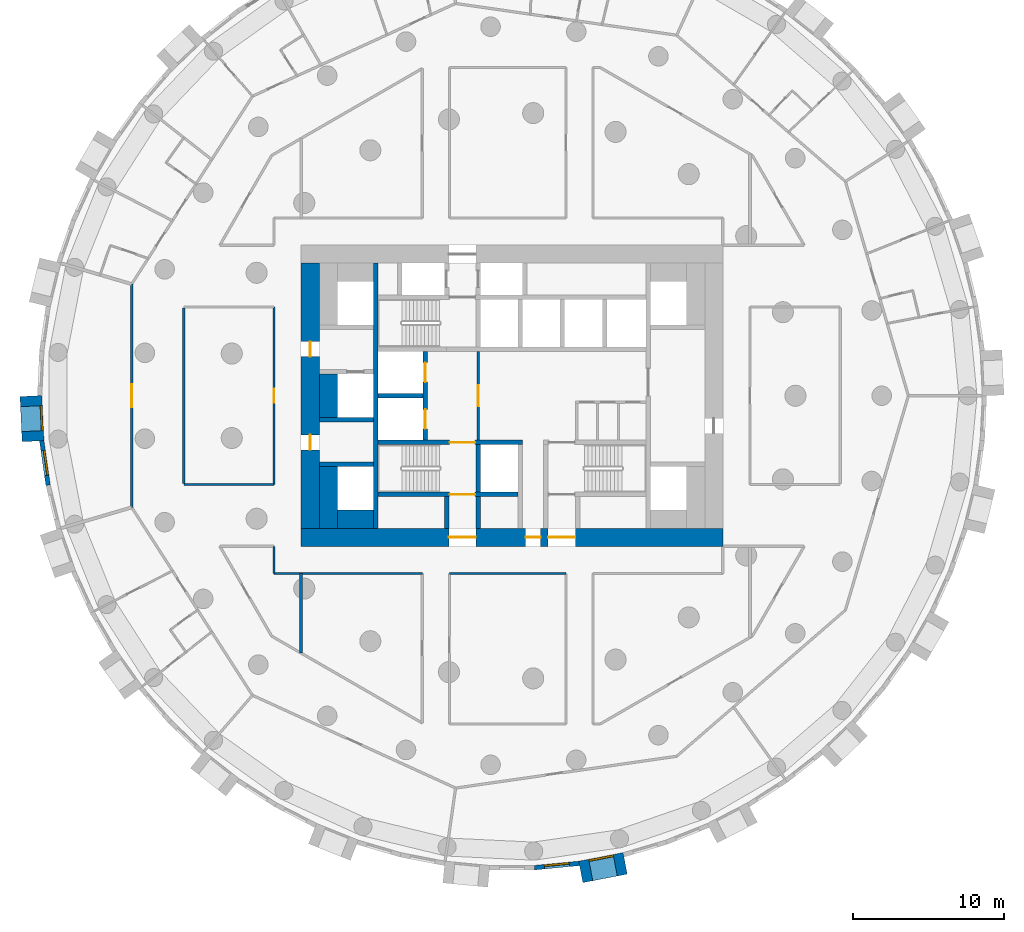
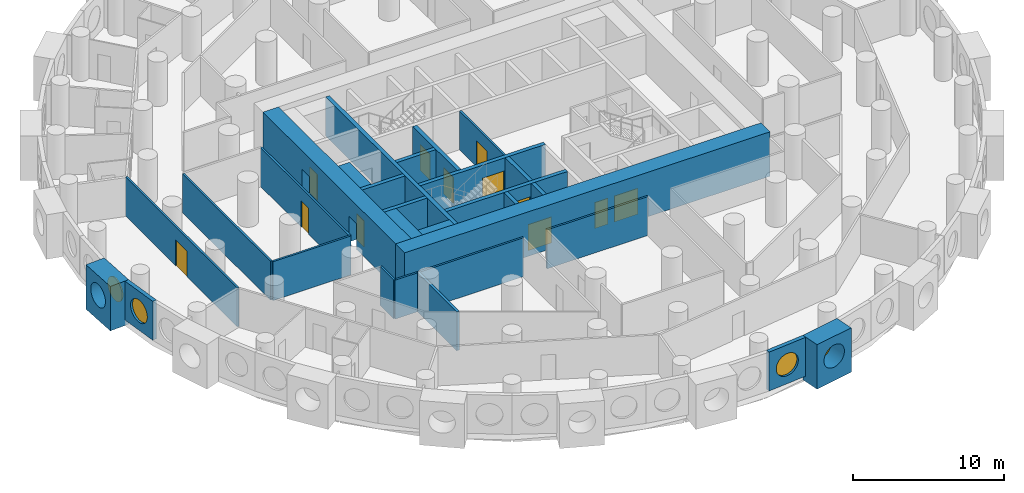
# One storey, part 4 of 12: 28 walls, 12 doors, 4 windows, 16 openings.
"""IFC4 building model written with IfcOpenShell, lengths in metres."""

from ifc_helpers import new_model, si_unit, direction, frame, frame_2d, origin, origin_2d, place, context, subcontext, project, spatial, rectangle, circle, extrude, material, layer, layer_set, type_object, element, fill, save


model = new_model("IFC4")

# Units and contexts
model_context = context("Model", 3, precision=1e-05, world=origin(), true_north=direction((0.0, 1.0)))
body_context = subcontext(model_context, "Body", "Model", "MODEL_VIEW")
ifc_project = project(units=[si_unit("LENGTHUNIT", "METRE"), si_unit("AREAUNIT", "SQUARE_METRE"), si_unit("VOLUMEUNIT", "CUBIC_METRE"), si_unit("PLANEANGLEUNIT", "RADIAN"), si_unit("MASSUNIT", "GRAM", prefix="KILO")], contexts=[model_context])

# Site, building, storey
site_placement = place(None, origin())
site = spatial("IfcSite", under=ifc_project, at=site_placement, CompositionType="ELEMENT")
building_placement = place(site_placement, origin())
building = spatial("IfcBuilding", under=site, at=building_placement, Name="Tracery Tower", CompositionType="ELEMENT")
storey_placement = place(building_placement, frame((0.0, 0.0, 89.39990234375)))
storey = spatial("IfcBuildingStorey", under=building, at=storey_placement, Name="L22", CompositionType="ELEMENT", Elevation=89.39990234375)

# Wall, opening, door
ifc_material_1 = material(Name="Plasterboard on steel studs", Category="steel")
ifc_layer_1 = layer(ifc_material_1, 0.14990234375)
ifc_layer_set_1 = layer_set([ifc_layer_1], Name="Core lobby partition 150")
wall_type_1 = type_object("IfcWallType", Name="Core lobby partition 150", PredefinedType="SOLIDWALL", material=ifc_layer_set_1)
wall_1_placement = place(storey_placement, frame((-2.25, -2.949951171875, 0.0), z_axis=(0.0, 0.0, 1.0), x_axis=(0.0, 1.0, 0.0)))
wall_1 = element("IfcWall", 1, at=wall_1_placement, inside=storey, type_object=wall_type_1, Name="L22 FF lobby E", PredefinedType="SOLIDWALL", context=body_context, shape_type="SweptSolid", body=[
    extrude(rectangle(XDim=5.89990234375, YDim=0.14990234375, at=frame_2d((2.949951171875, 0.0))), origin(), (0.0, 0.0, 1.0), 3.150146484375),
])
opening_1_placement = place(wall_1_placement, frame((2.25, 0.0, 0.0)))
opening_1 = element("IfcOpeningElement", 2, at=opening_1_placement, cuts=wall_1, Name="Opening KD8", PredefinedType="OPENING", context=body_context, shape_type="SweptSolid", body=[
    extrude(rectangle(XDim=1.39990234375, YDim=2.10009765625, at=frame_2d((0.699951171875, 1.050048828125))), frame((0.0, 0.074951171875, 0.0), z_axis=(0.0, -1.0, 0.0), x_axis=(1.0, 0.0, 0.0)), (0.0, 0.0, 1.0), 0.14990234375),
])
ifc_material_2 = material(Name="Steel fire door", Category="steel")
door_type_1 = type_object("IfcDoorType", Name="Core lobby door 1400 double", OperationType="NOTDEFINED", PredefinedType="DOOR", material=ifc_material_2)
door_1_placement = place(opening_1_placement, origin())
door_1 = element("IfcDoor", 3, at=door_1_placement, inside=storey, type_object=door_type_1, Name="Fire-fighting lobby door", OperationType="DOUBLE_DOOR_SINGLE_SWING", OverallHeight=2.10009765625, OverallWidth=1.39990234375, PredefinedType="DOOR", context=body_context, shape_type="SweptSolid", body=[
    extrude(rectangle(XDim=1.39990234375, YDim=2.10009765625, at=frame_2d((0.699951171875, 1.050048828125))), frame((0.0, 0.02490234375, 0.0), z_axis=(0.0, -1.0, 0.0), x_axis=(1.0, 0.0, 0.0)), (0.0, 0.0, 1.0), 0.050048828125),
])
fill(opening_1, door_1)

# Walls
ifc_material_3 = material(Name="Concrete C60/75", Category="concrete")
ifc_layer_2 = layer(ifc_material_3, 1.199951171875)
ifc_layer_set_2 = layer_set([ifc_layer_2], Name="Core strip wall 1200 C60")
wall_type_2 = type_object("IfcWallType", Name="Core strip wall 1200 C60", PredefinedType="SOLIDWALL", material=ifc_layer_set_2)
wall_2_placement = place(storey_placement, frame((-12.199951171875, -8.800048828125, 0.0), z_axis=(0.0, 0.0, 1.0), x_axis=(0.0, 1.0, 0.0)))
element("IfcWall", 4, at=wall_2_placement, inside=storey, type_object=wall_type_2, Name="L22 wing strip -1 -9.4", PredefinedType="SOLIDWALL", context=body_context, shape_type="SweptSolid", body=[
    extrude(rectangle(XDim=4.10009765625, YDim=1.199951171875, at=frame_2d((2.050048828125, 0.0))), origin(), (0.0, 0.0, 1.0), 3.150146484375),
])
wall_3_placement = place(storey_placement, frame((-12.199951171875, -1.449951171875, 0.0), z_axis=(0.0, 0.0, 1.0), x_axis=(0.0, 1.0, 0.0)))
element("IfcWall", 5, at=wall_3_placement, inside=storey, type_object=wall_type_2, Name="L22 wing strip -1 -1.6", PredefinedType="SOLIDWALL", context=body_context, shape_type="SweptSolid", body=[
    extrude(rectangle(XDim=2.89990234375, YDim=1.199951171875, at=frame_2d((1.449951171875, 0.0))), origin(), (0.0, 0.0, 1.0), 3.150146484375),
])
wall_4_placement = place(storey_placement, frame((-11.60009765625, -8.199951171875, 0.0), z_axis=(0.0, 0.0, 1.0), x_axis=(1.0, 0.0, 0.0)))
element("IfcWall", 6, at=wall_4_placement, inside=storey, type_object=wall_type_2, Name="L22 wing corner -1 -8.2", PredefinedType="SOLIDWALL", context=body_context, shape_type="SweptSolid", body=[
    extrude(rectangle(XDim=2.400146484375, YDim=1.199951171875, at=frame_2d((1.2001953125, 0.0))), origin(), (0.0, 0.0, 1.0), 3.150146484375),
])

# Wall, openings, doors
ifc_material_4 = material(Name="Concrete C60/75", Category="concrete")
ifc_layer_3 = layer(ifc_material_4, 1.199951171875)
ifc_layer_set_3 = layer_set([ifc_layer_3], Name="Core wall 1200 C60")
wall_type_3 = type_object("IfcWallType", Name="Core wall 1200 C60", PredefinedType="SOLIDWALL", material=ifc_layer_set_3)
wall_5_placement = place(storey_placement, frame((-14.0, -9.39990234375, 0.0), z_axis=(0.0, 0.0, 1.0), x_axis=(1.0, 0.0, 0.0)))
wall_5 = element("IfcWall", 7, at=wall_5_placement, inside=storey, type_object=wall_type_3, Name="L22 outer S", PredefinedType="SOLIDWALL", context=body_context, shape_type="SweptSolid", body=[
    extrude(rectangle(XDim=28.0, YDim=1.199951171875, at=frame_2d((14.0, 0.0))), origin(), (0.0, 0.0, 1.0), 3.60009765625),
])
opening_2_placement = place(wall_5_placement, frame((14.89990234375, 0.0, 0.0)))
opening_2 = element("IfcOpeningElement", 8, at=opening_2_placement, cuts=wall_5, Name="Opening KD16", PredefinedType="OPENING", context=body_context, shape_type="SweptSolid", body=[
    extrude(rectangle(XDim=1.0, YDim=2.10009765625, at=frame_2d((0.5, 1.050048828125))), frame((0.0, 0.60009765625, 0.0), z_axis=(0.0, -1.0, 0.0), x_axis=(1.0, 0.0, 0.0)), (0.0, 0.0, 1.0), 1.199951171875),
])
opening_3_placement = place(wall_5_placement, frame((9.800048828125, 0.0, 0.0)))
opening_3 = element("IfcOpeningElement", 9, at=opening_3_placement, cuts=wall_5, Name="Opening KD13", PredefinedType="OPENING", context=body_context, shape_type="SweptSolid", body=[
    extrude(rectangle(XDim=1.800048828125, YDim=2.10009765625, at=frame_2d((0.89990234375, 1.050048828125))), frame((0.0, 0.60009765625, 0.0), z_axis=(0.0, -1.0, 0.0), x_axis=(1.0, 0.0, 0.0)), (0.0, 0.0, 1.0), 1.199951171875),
])
opening_4_placement = place(wall_5_placement, frame((16.39990234375, 0.0, 0.0)))
opening_4 = element("IfcOpeningElement", 10, at=opening_4_placement, cuts=wall_5, Name="Opening KD13", PredefinedType="OPENING", context=body_context, shape_type="SweptSolid", body=[
    extrude(rectangle(XDim=1.800048828125, YDim=2.10009765625, at=frame_2d((0.89990234375, 1.050048828125))), frame((0.0, 0.60009765625, 0.0), z_axis=(0.0, -1.0, 0.0), x_axis=(1.0, 0.0, 0.0)), (0.0, 0.0, 1.0), 1.199951171875),
])
ifc_material_5 = material(Name="Steel fire door", Category="steel")
door_type_2 = type_object("IfcDoorType", Name="Core exit door 1000", OperationType="NOTDEFINED", PredefinedType="DOOR", material=ifc_material_5)
door_2_placement = place(opening_2_placement, origin())
door_2 = element("IfcDoor", 11, at=door_2_placement, inside=storey, type_object=door_type_2, Name="Core exit door", OperationType="SINGLE_SWING_LEFT", OverallHeight=2.10009765625, OverallWidth=1.0, PredefinedType="DOOR", context=body_context, shape_type="SweptSolid", body=[
    extrude(rectangle(XDim=1.0, YDim=2.10009765625, at=frame_2d((0.5, 1.050048828125))), frame((0.0, 0.02490234375, 0.0), z_axis=(0.0, -1.0, 0.0), x_axis=(1.0, 0.0, 0.0)), (0.0, 0.0, 1.0), 0.050048828125),
])
fill(opening_2, door_2)
ifc_material_6 = material(Name="Steel fire door", Category="steel")
door_type_3 = type_object("IfcDoorType", Name="Core exit door 1800 double", OperationType="NOTDEFINED", PredefinedType="DOOR", material=ifc_material_6)
door_3_placement = place(opening_3_placement, origin())
door_3 = element("IfcDoor", 12, at=door_3_placement, inside=storey, type_object=door_type_3, Name="Core exit door", OperationType="DOUBLE_DOOR_SINGLE_SWING", OverallHeight=2.10009765625, OverallWidth=1.800048828125, PredefinedType="DOOR", context=body_context, shape_type="SweptSolid", body=[
    extrude(rectangle(XDim=1.800048828125, YDim=2.10009765625, at=frame_2d((0.89990234375, 1.050048828125))), frame((0.0, 0.02490234375, 0.0), z_axis=(0.0, -1.0, 0.0), x_axis=(1.0, 0.0, 0.0)), (0.0, 0.0, 1.0), 0.050048828125),
])
fill(opening_3, door_3)
door_4_placement = place(opening_4_placement, origin())
door_4 = element("IfcDoor", 13, at=door_4_placement, inside=storey, type_object=door_type_3, Name="Core exit door", OperationType="DOUBLE_DOOR_SINGLE_SWING", OverallHeight=2.10009765625, OverallWidth=1.800048828125, PredefinedType="DOOR", context=body_context, shape_type="SweptSolid", body=[
    extrude(rectangle(XDim=1.800048828125, YDim=2.10009765625, at=frame_2d((0.89990234375, 1.050048828125))), frame((0.0, 0.02490234375, 0.0), z_axis=(0.0, -1.0, 0.0), x_axis=(1.0, 0.0, 0.0)), (0.0, 0.0, 1.0), 0.050048828125),
])
fill(opening_4, door_4)

wall_6_placement = place(storey_placement, frame((-13.39990234375, -8.800048828125, 0.0), z_axis=(0.0, 0.0, 1.0), x_axis=(0.0, 1.0, 0.0)))
wall_6 = element("IfcWall", 14, at=wall_6_placement, inside=storey, type_object=wall_type_3, Name="L22 outer W", PredefinedType="SOLIDWALL", context=body_context, shape_type="SweptSolid", body=[
    extrude(rectangle(XDim=17.60009765625, YDim=1.199951171875, at=frame_2d((8.800048828125, 0.0))), origin(), (0.0, 0.0, 1.0), 3.60009765625),
])
opening_5_placement = place(wall_6_placement, frame((5.199951171875, 0.0, 0.0)))
opening_5 = element("IfcOpeningElement", 15, at=opening_5_placement, cuts=wall_6, Name="Opening KD18", PredefinedType="OPENING", context=body_context, shape_type="SweptSolid", body=[
    extrude(rectangle(XDim=1.0, YDim=2.10009765625, at=frame_2d((0.5, 1.050048828125))), frame((0.0, 0.60009765625, 0.0), z_axis=(0.0, -1.0, 0.0), x_axis=(1.0, 0.0, 0.0)), (0.0, 0.0, 1.0), 1.199951171875),
])
opening_6_placement = place(wall_6_placement, frame((11.39990234375, 0.0, 0.0)))
opening_6 = element("IfcOpeningElement", 16, at=opening_6_placement, cuts=wall_6, Name="Opening KD18", PredefinedType="OPENING", context=body_context, shape_type="SweptSolid", body=[
    extrude(rectangle(XDim=1.0, YDim=2.10009765625, at=frame_2d((0.5, 1.050048828125))), frame((0.0, 0.60009765625, 0.0), z_axis=(0.0, -1.0, 0.0), x_axis=(1.0, 0.0, 0.0)), (0.0, 0.0, 1.0), 1.199951171875),
])
door_5_placement = place(opening_5_placement, origin())
door_5 = element("IfcDoor", 17, at=door_5_placement, inside=storey, type_object=door_type_2, Name="Core exit door", OperationType="DOUBLE_DOOR_SINGLE_SWING", OverallHeight=2.10009765625, OverallWidth=1.0, PredefinedType="DOOR", context=body_context, shape_type="SweptSolid", body=[
    extrude(rectangle(XDim=1.0, YDim=2.10009765625, at=frame_2d((0.5, 1.050048828125))), frame((0.0, 0.02490234375, 0.0), z_axis=(0.0, -1.0, 0.0), x_axis=(1.0, 0.0, 0.0)), (0.0, 0.0, 1.0), 0.050048828125),
])
fill(opening_5, door_5)
door_6_placement = place(opening_6_placement, origin())
door_6 = element("IfcDoor", 18, at=door_6_placement, inside=storey, type_object=door_type_2, Name="Core exit door", OperationType="DOUBLE_DOOR_SINGLE_SWING", OverallHeight=2.10009765625, OverallWidth=1.0, PredefinedType="DOOR", context=body_context, shape_type="SweptSolid", body=[
    extrude(rectangle(XDim=1.0, YDim=2.10009765625, at=frame_2d((0.5, 1.050048828125))), frame((0.0, 0.02490234375, 0.0), z_axis=(0.0, -1.0, 0.0), x_axis=(1.0, 0.0, 0.0)), (0.0, 0.0, 1.0), 0.050048828125),
])
fill(opening_6, door_6)

# Wall, opening, window
ifc_material_7 = material(Name="Precast concrete C50/60", Category="concrete")
ifc_layer_4 = layer(ifc_material_7, 1.449951171875)
ifc_layer_set_4 = layer_set([ifc_layer_4], Name="Deep-set bay unit 3000 x 3600, slab edge 450")
wall_type_4 = type_object("IfcWallType", Name="Deep-set bay unit 3000 x 3600, slab edge 450", PredefinedType="ELEMENTEDWALL", material=ifc_layer_set_4)
wall_7_placement = place(storey_placement, frame((-31.94921875, -0.020263671875, -0.449951171875), z_axis=(0.0, 0.0, 1.0), x_axis=(0.047607680889, -0.998866111509, 0.0)))
wall_7 = element("IfcWall", 19, at=wall_7_placement, inside=storey, type_object=wall_type_4, Name="Deep-set bay unit 34 at L22", PredefinedType="ELEMENTEDWALL", context=body_context, shape_type="SweptSolid", body=[
    extrude(rectangle(XDim=3.0, YDim=1.449951171875, at=frame_2d((1.5, 0.0))), origin(), (0.0, 0.0, 1.0), 3.60009765625),
])
opening_7_placement = place(wall_7_placement, frame((1.5, 0.0, 2.0)))
opening_7 = element("IfcOpeningElement", 20, at=opening_7_placement, cuts=wall_7, Name="Opening WN1", PredefinedType="OPENING", context=body_context, shape_type="SweptSolid", body=[
    extrude(circle(Radius=0.9000244140625, at=origin_2d()), frame((0.0, 0.73486328125, 0.0), z_axis=(0.0, -1.0, 0.0), x_axis=(1.0, 0.0, 0.0)), (0.0, 0.0, 1.0), 1.469970703125),
])
ifc_material_8 = material(Name="Aluminium frame with tinted double glazing", Category="aluminium")
window_type = type_object("IfcWindowType", Name="Round window 1800", PartitioningType="SINGLE_PANEL", PredefinedType="WINDOW", material=ifc_material_8)
window_1_placement = place(opening_7_placement, origin())
window_1 = element("IfcWindow", 21, at=window_1_placement, inside=storey, type_object=window_type, Name="Round window 34 at L22", OverallHeight=1.800048828125, OverallWidth=1.800048828125, PartitioningType="SINGLE_PANEL", PredefinedType="WINDOW", context=body_context, shape_type="SweptSolid", body=[
    extrude(circle(Radius=0.9000244140625, at=origin_2d()), frame((0.0, 0.69482421875, 0.0), z_axis=(0.0, -1.0, 0.0), x_axis=(1.0, 0.0, 0.0)), (0.0, 0.0, 1.0), 0.10009765625),
])
fill(opening_7, window_1)

wall_8_placement = place(storey_placement, frame((4.56689453125, -31.62109375, -0.449951171875), z_axis=(0.0, 0.0, 1.0), x_axis=(0.981921602273, 0.189288052949, 0.0)))
wall_8 = element("IfcWall", 22, at=wall_8_placement, inside=storey, type_object=wall_type_4, Name="Deep-set bay unit 52 at L22", PredefinedType="ELEMENTEDWALL", context=body_context, shape_type="SweptSolid", body=[
    extrude(rectangle(XDim=3.0, YDim=1.449951171875, at=frame_2d((1.5, 0.0))), origin(), (0.0, 0.0, 1.0), 3.60009765625),
])
opening_8_placement = place(wall_8_placement, frame((1.5, 0.0, 2.0)))
opening_8 = element("IfcOpeningElement", 23, at=opening_8_placement, cuts=wall_8, Name="Opening WN1", PredefinedType="OPENING", context=body_context, shape_type="SweptSolid", body=[
    extrude(circle(Radius=0.9000244140625, at=origin_2d()), frame((0.0, 0.73486328125, 0.0), z_axis=(0.0, -1.0, 0.0), x_axis=(1.0, 0.0, 0.0)), (0.0, 0.0, 1.0), 1.469970703125),
])
window_2_placement = place(opening_8_placement, origin())
window_2 = element("IfcWindow", 24, at=window_2_placement, inside=storey, type_object=window_type, Name="Round window 52 at L22", OverallHeight=1.800048828125, OverallWidth=1.800048828125, PartitioningType="SINGLE_PANEL", PredefinedType="WINDOW", context=body_context, shape_type="SweptSolid", body=[
    extrude(circle(Radius=0.9000244140625, at=origin_2d()), frame((0.0, 0.69482421875, 0.0), z_axis=(0.0, -1.0, 0.0), x_axis=(1.0, 0.0, 0.0)), (0.0, 0.0, 1.0), 0.10009765625),
])
fill(opening_8, window_2)

ifc_material_9 = material(Name="Precast concrete C50/60", Category="concrete")
ifc_layer_5 = layer(ifc_material_9, 0.300048828125)
ifc_layer_set_5 = layer_set([ifc_layer_5], Name="Facade panel 3000 x 3150")
wall_type_5 = type_object("IfcWallType", Name="Facade panel 3000 x 3150", PredefinedType="SOLIDWALL", material=ifc_layer_set_5)
wall_9_placement = place(storey_placement, frame((-31.2314453125, -2.98828125, 0.0), z_axis=(0.0, 0.0, 1.0), x_axis=(0.142315996627, -0.989821275334, 0.0)))
wall_9 = element("IfcWall", 25, at=wall_9_placement, inside=storey, type_object=wall_type_5, Name="Facade panel 35 at L22", PredefinedType="SOLIDWALL", context=body_context, shape_type="SweptSolid", body=[
    extrude(rectangle(XDim=2.979736328125, YDim=0.300048828125, at=frame_2d((1.48974609375, 0.0))), origin(), (0.0, 0.0, 1.0), 3.150146484375),
])
opening_9_placement = place(wall_9_placement, frame((1.48974609375, 0.0, 1.5498046875)))
opening_9 = element("IfcOpeningElement", 26, at=opening_9_placement, cuts=wall_9, Name="Opening WN1", PredefinedType="OPENING", context=body_context, shape_type="SweptSolid", body=[
    extrude(circle(Radius=0.9000244140625, at=origin_2d()), frame((0.0, 0.159912109375, 0.0), z_axis=(0.0, -1.0, 0.0), x_axis=(1.0, 0.0, 0.0)), (0.0, 0.0, 1.0), 0.320068359375),
])
window_3_placement = place(opening_9_placement, origin())
window_3 = element("IfcWindow", 27, at=window_3_placement, inside=storey, type_object=window_type, Name="Round window 35 at L22", OverallHeight=1.800048828125, OverallWidth=1.800048828125, PartitioningType="SINGLE_PANEL", PredefinedType="WINDOW", context=body_context, shape_type="SweptSolid", body=[
    extrude(circle(Radius=0.9000244140625, at=origin_2d()), frame((0.0, 0.1201171875, 0.0), z_axis=(0.0, -1.0, 0.0), x_axis=(1.0, 0.0, 0.0)), (0.0, 0.0, 1.0), 0.10009765625),
])
fill(opening_9, window_3)

wall_10_placement = place(storey_placement, frame((1.492919921875, -31.3388671875, 0.0), z_axis=(0.0, 0.0, 1.0), x_axis=(0.995472611385, 0.095048829468, 0.0)))
wall_10 = element("IfcWall", 28, at=wall_10_placement, inside=storey, type_object=wall_type_5, Name="Facade panel 51 at L22", PredefinedType="SOLIDWALL", context=body_context, shape_type="SweptSolid", body=[
    extrude(rectangle(XDim=2.9794921875, YDim=0.300048828125, at=frame_2d((1.48974609375, 0.0))), origin(), (0.0, 0.0, 1.0), 3.150146484375),
])
opening_10_placement = place(wall_10_placement, frame((1.48974609375, 0.0, 1.5498046875)))
opening_10 = element("IfcOpeningElement", 29, at=opening_10_placement, cuts=wall_10, Name="Opening WN1", PredefinedType="OPENING", context=body_context, shape_type="SweptSolid", body=[
    extrude(circle(Radius=0.9000244140625, at=origin_2d()), frame((0.0, 0.159912109375, 0.0), z_axis=(0.0, -1.0, 0.0), x_axis=(1.0, 0.0, 0.0)), (0.0, 0.0, 1.0), 0.320068359375),
])
window_4_placement = place(opening_10_placement, origin())
window_4 = element("IfcWindow", 30, at=window_4_placement, inside=storey, type_object=window_type, Name="Round window 51 at L22", OverallHeight=1.800048828125, OverallWidth=1.800048828125, PartitioningType="SINGLE_PANEL", PredefinedType="WINDOW", context=body_context, shape_type="SweptSolid", body=[
    extrude(circle(Radius=0.9000244140625, at=origin_2d()), frame((0.0, 0.1201171875, 0.0), z_axis=(0.0, -1.0, 0.0), x_axis=(1.0, 0.0, 0.0)), (0.0, 0.0, 1.0), 0.10009765625),
])
fill(opening_10, window_4)

# Walls
ifc_material_10 = material(Name="Plasterboard on steel studs", Category="steel")
ifc_layer_6 = layer(ifc_material_10, 0.14990234375)
ifc_layer_set_6 = layer_set([ifc_layer_6], Name="Partition 150 corridor wall")
wall_type_6 = type_object("IfcWallType", Name="Partition 150 corridor wall", PredefinedType="PARTITIONING", material=ifc_layer_set_6)
wall_11_placement = place(storey_placement, frame((-15.800048828125, -11.800048828125, 0.0), z_axis=(0.0, 0.0, 1.0), x_axis=(1.0, 0.0, 0.0)))
element("IfcWall", 31, at=wall_11_placement, inside=storey, type_object=wall_type_6, Name="Corridor wall RA6-006", PredefinedType="PARTITIONING", context=body_context, shape_type="SweptSolid", body=[
    extrude(rectangle(XDim=9.843994140625, YDim=0.14990234375, at=frame_2d((4.921875, 0.0))), origin(), (0.0, 0.0, 1.0), 3.150146484375),
])
wall_12_placement = place(storey_placement, frame((-4.1640625, -11.800048828125, 0.0), z_axis=(0.0, 0.0, 1.0), x_axis=(1.0, 0.0, 0.0)))
element("IfcWall", 32, at=wall_12_placement, inside=storey, type_object=wall_type_6, Name="Corridor wall RA6-007", PredefinedType="PARTITIONING", context=body_context, shape_type="SweptSolid", body=[
    extrude(rectangle(XDim=7.744140625, YDim=0.14990234375, at=frame_2d((3.8720703125, 0.0))), origin(), (0.0, 0.0, 1.0), 3.150146484375),
])
wall_13_placement = place(storey_placement, frame((-15.800048828125, -11.800048828125, 0.0), z_axis=(0.0, 0.0, 1.0), x_axis=(0.0, 1.0, 0.0)))
element("IfcWall", 33, at=wall_13_placement, inside=storey, type_object=wall_type_6, Name="Corridor wall RA6-010", PredefinedType="PARTITIONING", context=body_context, shape_type="SweptSolid", body=[
    extrude(rectangle(XDim=1.800048828125, YDim=0.14990234375, at=frame_2d((0.89990234375, 0.0))), origin(), (0.0, 0.0, 1.0), 3.150146484375),
])

# Wall, opening, door
wall_14_placement = place(storey_placement, frame((-15.800048828125, -5.904052734375, 0.0), z_axis=(0.0, 0.0, 1.0), x_axis=(0.0, 1.0, 0.0)))
wall_14 = element("IfcWall", 34, at=wall_14_placement, inside=storey, type_object=wall_type_6, Name="Corridor wall RA6-014", PredefinedType="PARTITIONING", context=body_context, shape_type="SweptSolid", body=[
    extrude(rectangle(XDim=11.80810546875, YDim=0.14990234375, at=frame_2d((5.904052734375, 0.0))), origin(), (0.0, 0.0, 1.0), 3.150146484375),
])
opening_11_placement = place(wall_14_placement, frame((5.428955078125, 0.0, 0.0)))
opening_11 = element("IfcOpeningElement", 35, at=opening_11_placement, cuts=wall_14, Name="Opening RA6-08", PredefinedType="OPENING", context=body_context, shape_type="SweptSolid", body=[
    extrude(rectangle(XDim=0.949951171875, YDim=2.10009765625, at=frame_2d((0.47509765625, 1.050048828125))), frame((0.0, 0.074951171875, 0.0), z_axis=(0.0, -1.0, 0.0), x_axis=(1.0, 0.0, 0.0)), (0.0, 0.0, 1.0), 0.14990234375),
])
ifc_material_11 = material(Name="Timber door leaf", Category="wood")
door_type_4 = type_object("IfcDoorType", Name="Door store 950", OperationType="NOTDEFINED", PredefinedType="DOOR", material=ifc_material_11)
door_7_placement = place(opening_11_placement, origin())
door_7 = element("IfcDoor", 36, at=door_7_placement, inside=storey, type_object=door_type_4, Name="Store door RA6-08", OperationType="SINGLE_SWING_RIGHT", OverallHeight=2.10009765625, OverallWidth=0.949951171875, PredefinedType="DOOR", context=body_context, shape_type="SweptSolid", body=[
    extrude(rectangle(XDim=0.949951171875, YDim=2.10009765625, at=frame_2d((0.47509765625, 1.050048828125))), frame((0.0, 0.02490234375, 0.0), z_axis=(0.0, -1.0, 0.0), x_axis=(1.0, 0.0, 0.0)), (0.0, 0.0, 1.0), 0.050048828125),
])
fill(opening_11, door_7)

# Walls
wall_15_placement = place(storey_placement, frame((-21.802001953125, -5.842041015625, 0.0), z_axis=(0.0, 0.0, 1.0), x_axis=(0.0, 1.0, 0.0)))
element("IfcWall", 37, at=wall_15_placement, inside=storey, type_object=wall_type_6, Name="Corridor wall RA6-036", PredefinedType="PARTITIONING", context=body_context, shape_type="SweptSolid", body=[
    extrude(rectangle(XDim=11.68408203125, YDim=0.14990234375, at=frame_2d((5.842041015625, 0.0))), origin(), (0.0, 0.0, 1.0), 3.150146484375),
])
wall_16_placement = place(storey_placement, frame((-21.76806640625, -5.89990234375, 0.0), z_axis=(0.0, 0.0, 1.0), x_axis=(1.0, 0.0, 0.0)))
element("IfcWall", 38, at=wall_16_placement, inside=storey, type_object=wall_type_6, Name="Corridor wall RA6-037", PredefinedType="PARTITIONING", context=body_context, shape_type="SweptSolid", body=[
    extrude(rectangle(XDim=5.968017578125, YDim=0.14990234375, at=frame_2d((2.98388671875, 0.0))), origin(), (0.0, 0.0, 1.0), 3.150146484375),
])

# Wall, opening, door
wall_17_placement = place(storey_placement, frame((-25.2529296875, -7.4150390625, 0.0), z_axis=(0.0, 0.0, 1.0), x_axis=(0.0, 1.0, 0.0)))
wall_17 = element("IfcWall", 39, at=wall_17_placement, inside=storey, type_object=wall_type_6, Name="Corridor wall RA6-042", PredefinedType="PARTITIONING", context=body_context, shape_type="SweptSolid", body=[
    extrude(rectangle(XDim=14.830078125, YDim=0.14990234375, at=frame_2d((7.4150390625, 0.0))), origin(), (0.0, 0.0, 1.0), 3.150146484375),
])
opening_12_placement = place(wall_17_placement, frame((6.6650390625, 0.0, 0.0)))
opening_12 = element("IfcOpeningElement", 40, at=opening_12_placement, cuts=wall_17, Name="Opening RA6-35", PredefinedType="OPENING", context=body_context, shape_type="SweptSolid", body=[
    extrude(rectangle(XDim=1.5, YDim=2.10009765625, at=frame_2d((0.75, 1.050048828125))), frame((0.0, 0.074951171875, 0.0), z_axis=(0.0, -1.0, 0.0), x_axis=(1.0, 0.0, 0.0)), (0.0, 0.0, 1.0), 0.14990234375),
])
ifc_material_12 = material(Name="Timber door leaf", Category="wood")
door_type_5 = type_object("IfcDoorType", Name="Door double kitchen 1500", OperationType="NOTDEFINED", PredefinedType="DOOR", material=ifc_material_12)
door_8_placement = place(opening_12_placement, origin())
door_8 = element("IfcDoor", 41, at=door_8_placement, inside=storey, type_object=door_type_5, Name="Double kitchen door RA6-35", OperationType="DOUBLE_DOOR_SINGLE_SWING", OverallHeight=2.10009765625, OverallWidth=1.5, PredefinedType="DOOR", context=body_context, shape_type="SweptSolid", body=[
    extrude(rectangle(XDim=1.5, YDim=2.10009765625, at=frame_2d((0.75, 1.050048828125))), frame((0.0, 0.02490234375, 0.0), z_axis=(0.0, -1.0, 0.0), x_axis=(1.0, 0.0, 0.0)), (0.0, 0.0, 1.0), 0.050048828125),
])
fill(opening_12, door_8)

# Walls
ifc_material_13 = material(Name="Plasterboard on steel studs", Category="steel")
ifc_layer_7 = layer(ifc_material_13, 0.199951171875)
ifc_layer_set_7 = layer_set([ifc_layer_7], Name="Partition 200 compartment wall")
wall_type_7 = type_object("IfcWallType", Name="Partition 200 compartment wall", PredefinedType="PARTITIONING", material=ifc_layer_set_7)
wall_18_placement = place(storey_placement, frame((-14.0, -17.092041015625, 0.0), z_axis=(0.0, 0.0, 1.0), x_axis=(0.0, 1.0, 0.0)))
element("IfcWall", 42, at=wall_18_placement, inside=storey, type_object=wall_type_7, Name="Compartment wall RA6-056", PredefinedType="PARTITIONING", context=body_context, shape_type="SweptSolid", body=[
    extrude(rectangle(XDim=5.2919921875, YDim=0.199951171875, at=frame_2d((2.64599609375, 0.0))), origin(), (0.0, 0.0, 1.0), 3.150146484375),
])
ifc_material_14 = material(Name="Concrete C60/75", Category="concrete")
ifc_layer_8 = layer(ifc_material_14, 0.300048828125)
ifc_layer_set_8 = layer_set([ifc_layer_8], Name="Shaft wall 300 C60")
wall_type_8 = type_object("IfcWallType", Name="Shaft wall 300 C60", PredefinedType="SOLIDWALL", material=ifc_layer_set_8)
wall_19_placement = place(storey_placement, frame((-8.89990234375, 0.0, 0.0), z_axis=(0.0, 0.0, 1.0), x_axis=(1.0, 0.0, 0.0)))
element("IfcWall", 43, at=wall_19_placement, inside=storey, type_object=wall_type_8, Name="L22 FF split", PredefinedType="SOLIDWALL", context=body_context, shape_type="SweptSolid", body=[
    extrude(rectangle(XDim=3.0, YDim=0.300048828125, at=frame_2d((1.5, 0.0))), origin(), (0.0, 0.0, 1.0), 3.150146484375),
])

# Wall, openings, doors
wall_20_placement = place(storey_placement, frame((-5.75, -2.949951171875, 0.0), z_axis=(0.0, 0.0, 1.0), x_axis=(0.0, 1.0, 0.0)))
wall_20 = element("IfcWall", 44, at=wall_20_placement, inside=storey, type_object=wall_type_8, Name="L22 FF doors", PredefinedType="SOLIDWALL", context=body_context, shape_type="SweptSolid", body=[
    extrude(rectangle(XDim=5.89990234375, YDim=0.300048828125, at=frame_2d((2.949951171875, 0.0))), origin(), (0.0, 0.0, 1.0), 3.150146484375),
])
opening_13_placement = place(wall_20_placement, frame((0.75, 0.0, 0.0)))
opening_13 = element("IfcOpeningElement", 45, at=opening_13_placement, cuts=wall_20, Name="Opening KD54", PredefinedType="OPENING", context=body_context, shape_type="SweptSolid", body=[
    extrude(rectangle(XDim=1.300048828125, YDim=2.10009765625, at=frame_2d((0.64990234375, 1.050048828125))), frame((0.0, 0.14990234375, 0.0), z_axis=(0.0, -1.0, 0.0), x_axis=(1.0, 0.0, 0.0)), (0.0, 0.0, 1.0), 0.300048828125),
])
opening_14_placement = place(wall_20_placement, frame((3.85009765625, 0.0, 0.0)))
opening_14 = element("IfcOpeningElement", 46, at=opening_14_placement, cuts=wall_20, Name="Opening KD55", PredefinedType="OPENING", context=body_context, shape_type="SweptSolid", body=[
    extrude(rectangle(XDim=1.300048828125, YDim=2.10009765625, at=frame_2d((0.64990234375, 1.050048828125))), frame((0.0, 0.14990234375, 0.0), z_axis=(0.0, -1.0, 0.0), x_axis=(1.0, 0.0, 0.0)), (0.0, 0.0, 1.0), 0.300048828125),
])
ifc_material_15 = material(Name="Steel fire door", Category="steel")
door_type_6 = type_object("IfcDoorType", Name="Landing door FF 1300", OperationType="NOTDEFINED", PredefinedType="DOOR", material=ifc_material_15)
door_9_placement = place(opening_13_placement, origin())
door_9 = element("IfcDoor", 47, at=door_9_placement, inside=storey, type_object=door_type_6, Name="Landing door FF1", OperationType="SLIDING_TO_LEFT", OverallHeight=2.10009765625, OverallWidth=1.300048828125, PredefinedType="DOOR", context=body_context, shape_type="SweptSolid", body=[
    extrude(rectangle(XDim=1.300048828125, YDim=2.10009765625, at=frame_2d((0.64990234375, 1.050048828125))), frame((0.0, 0.02490234375, 0.0), z_axis=(0.0, -1.0, 0.0), x_axis=(1.0, 0.0, 0.0)), (0.0, 0.0, 1.0), 0.050048828125),
])
fill(opening_13, door_9)
door_10_placement = place(opening_14_placement, origin())
door_10 = element("IfcDoor", 48, at=door_10_placement, inside=storey, type_object=door_type_6, Name="Landing door FF2", OperationType="SLIDING_TO_RIGHT", OverallHeight=2.10009765625, OverallWidth=1.300048828125, PredefinedType="DOOR", context=body_context, shape_type="SweptSolid", body=[
    extrude(rectangle(XDim=1.300048828125, YDim=2.10009765625, at=frame_2d((0.64990234375, 1.050048828125))), frame((0.0, 0.02490234375, 0.0), z_axis=(0.0, -1.0, 0.0), x_axis=(1.0, 0.0, 0.0)), (0.0, 0.0, 1.0), 0.050048828125),
])
fill(opening_14, door_10)

# Walls
wall_21_placement = place(storey_placement, frame((-4.35009765625, -8.800048828125, 0.0), z_axis=(0.0, 0.0, 1.0), x_axis=(0.0, 1.0, 0.0)))
element("IfcWall", 49, at=wall_21_placement, inside=storey, type_object=wall_type_8, Name="L22 band S -4.35", PredefinedType="SOLIDWALL", context=body_context, shape_type="SweptSolid", body=[
    extrude(rectangle(XDim=2.10009765625, YDim=0.300048828125, at=frame_2d((1.050048828125, 0.0))), origin(), (0.0, 0.0, 1.0), 3.150146484375),
])
for number, where, z_axis, x_axis, name in (
    (50, (-12.800048828125, -4.550048828125, 0.0), (0.0, 0.0, 1.0), (1.0, 0.0, 0.0), "L22 wing shaft wall -1 -4.55"),
    (51, (-12.800048828125, -1.60009765625, 0.0), (0.0, 0.0, 1.0), (1.0, 0.0, 0.0), "L22 wing shaft wall -1 -1.60"),
):
    element("IfcWall", number, at=place(storey_placement, frame(where, z_axis=z_axis, x_axis=x_axis)), inside=storey, type_object=wall_type_8, Name=name, PredefinedType="SOLIDWALL", context=body_context, shape_type="SweptSolid", body=[
        extrude(rectangle(XDim=3.60009765625, YDim=0.300048828125, at=frame_2d((1.800048828125, 0.0))), origin(), (0.0, 0.0, 1.0), 3.150146484375),
    ])

# Wall, opening, door
ifc_material_16 = material(Name="Concrete C60/75", Category="concrete")
ifc_layer_9 = layer(ifc_material_16, 0.300048828125)
ifc_layer_set_9 = layer_set([ifc_layer_9], Name="Stair wall 300 C60")
wall_type_9 = type_object("IfcWallType", Name="Stair wall 300 C60", PredefinedType="SOLIDWALL", material=ifc_layer_set_9)
wall_22_placement = place(storey_placement, frame((-8.89990234375, -3.10009765625, 0.0), z_axis=(0.0, 0.0, 1.0), x_axis=(1.0, 0.0, 0.0)))
wall_22 = element("IfcWall", 52, at=wall_22_placement, inside=storey, type_object=wall_type_9, Name="L22 row S", PredefinedType="SOLIDWALL", context=body_context, shape_type="SweptSolid", body=[
    extrude(rectangle(XDim=9.599853515625, YDim=0.300048828125, at=frame_2d((4.7998046875, 0.0))), origin(), (0.0, 0.0, 1.0), 3.150146484375),
])
opening_15_placement = place(wall_22_placement, frame((4.75, 0.0, 0.0)))
opening_15 = element("IfcOpeningElement", 53, at=opening_15_placement, cuts=wall_22, Name="Opening KD3", PredefinedType="OPENING", context=body_context, shape_type="SweptSolid", body=[
    extrude(rectangle(XDim=1.699951171875, YDim=2.10009765625, at=frame_2d((0.85009765625, 1.050048828125))), frame((0.0, 0.14990234375, 0.0), z_axis=(0.0, -1.0, 0.0), x_axis=(1.0, 0.0, 0.0)), (0.0, 0.0, 1.0), 0.300048828125),
])
ifc_material_17 = material(Name="Steel fire door", Category="steel")
door_type_7 = type_object("IfcDoorType", Name="Core stair door 1700 double", OperationType="NOTDEFINED", PredefinedType="DOOR", material=ifc_material_17)
door_11_placement = place(opening_15_placement, origin())
door_11 = element("IfcDoor", 54, at=door_11_placement, inside=storey, type_object=door_type_7, Name="Stair door ST1", OperationType="DOUBLE_DOOR_SINGLE_SWING", OverallHeight=2.10009765625, OverallWidth=1.699951171875, PredefinedType="DOOR", context=body_context, shape_type="SweptSolid", body=[
    extrude(rectangle(XDim=1.699951171875, YDim=2.10009765625, at=frame_2d((0.85009765625, 1.050048828125))), frame((0.0, 0.02490234375, 0.0), z_axis=(0.0, -1.0, 0.0), x_axis=(1.0, 0.0, 0.0)), (0.0, 0.0, 1.0), 0.050048828125),
])
fill(opening_15, door_11)

# Walls
wall_23_placement = place(storey_placement, frame((-2.25, -6.39990234375, 0.0), z_axis=(0.0, 0.0, 1.0), x_axis=(0.0, 1.0, 0.0)))
element("IfcWall", 55, at=wall_23_placement, inside=storey, type_object=wall_type_9, Name="L22 ST1 E", PredefinedType="SOLIDWALL", context=body_context, shape_type="SweptSolid", body=[
    extrude(rectangle(XDim=3.14990234375, YDim=0.300048828125, at=frame_2d((1.574951171875, 0.0))), origin(), (0.0, 0.0, 1.0), 3.150146484375),
])
wall_24_placement = place(storey_placement, frame((-9.050048828125, -8.800048828125, 0.0), z_axis=(0.0, 0.0, 1.0), x_axis=(0.0, 1.0, 0.0)))
element("IfcWall", 56, at=wall_24_placement, inside=storey, type_object=wall_type_9, Name="L22 F wall -9", PredefinedType="SOLIDWALL", context=body_context, shape_type="SweptSolid", body=[
    extrude(rectangle(XDim=17.60009765625, YDim=0.300048828125, at=frame_2d((8.800048828125, 0.0))), origin(), (0.0, 0.0, 1.0), 3.150146484375),
])

# Wall, opening, door
wall_25_placement = place(storey_placement, frame((-8.89990234375, -6.550048828125, 0.0), z_axis=(0.0, 0.0, 1.0), x_axis=(1.0, 0.0, 0.0)))
wall_25 = element("IfcWall", 57, at=wall_25_placement, inside=storey, type_object=wall_type_9, Name="L22 F S W", PredefinedType="SOLIDWALL", context=body_context, shape_type="SweptSolid", body=[
    extrude(rectangle(XDim=9.2998046875, YDim=0.300048828125, at=frame_2d((4.64990234375, 0.0))), origin(), (0.0, 0.0, 1.0), 3.150146484375),
])
opening_16_placement = place(wall_25_placement, frame((4.75, 0.0, 0.0)))
opening_16 = element("IfcOpeningElement", 58, at=opening_16_placement, cuts=wall_25, Name="Opening KD3", PredefinedType="OPENING", context=body_context, shape_type="SweptSolid", body=[
    extrude(rectangle(XDim=1.699951171875, YDim=2.10009765625, at=frame_2d((0.85009765625, 1.050048828125))), frame((0.0, 0.14990234375, 0.0), z_axis=(0.0, -1.0, 0.0), x_axis=(1.0, 0.0, 0.0)), (0.0, 0.0, 1.0), 0.300048828125),
])
door_12_placement = place(opening_16_placement, origin())
door_12 = element("IfcDoor", 59, at=door_12_placement, inside=storey, type_object=door_type_7, Name="Stair door ST1 S", OperationType="DOUBLE_DOOR_SINGLE_SWING", OverallHeight=2.10009765625, OverallWidth=1.699951171875, PredefinedType="DOOR", context=body_context, shape_type="SweptSolid", body=[
    extrude(rectangle(XDim=1.699951171875, YDim=2.10009765625, at=frame_2d((0.85009765625, 1.050048828125))), frame((0.0, 0.02490234375, 0.0), z_axis=(0.0, -1.0, 0.0), x_axis=(1.0, 0.0, 0.0)), (0.0, 0.0, 1.0), 0.050048828125),
])
fill(opening_16, door_12)

# Wall
wall_26_placement = place(storey_placement, frame((-2.25, -8.800048828125, 0.0), z_axis=(0.0, 0.0, 1.0), x_axis=(0.0, 1.0, 0.0)))
element("IfcWall", 60, at=wall_26_placement, inside=storey, type_object=wall_type_9, Name="L22 ST1 E out", PredefinedType="SOLIDWALL", context=body_context, shape_type="SweptSolid", body=[
    extrude(rectangle(XDim=2.10009765625, YDim=0.300048828125, at=frame_2d((1.050048828125, 0.0))), origin(), (0.0, 0.0, 1.0), 3.150146484375),
])

save(model, "model.ifc")
